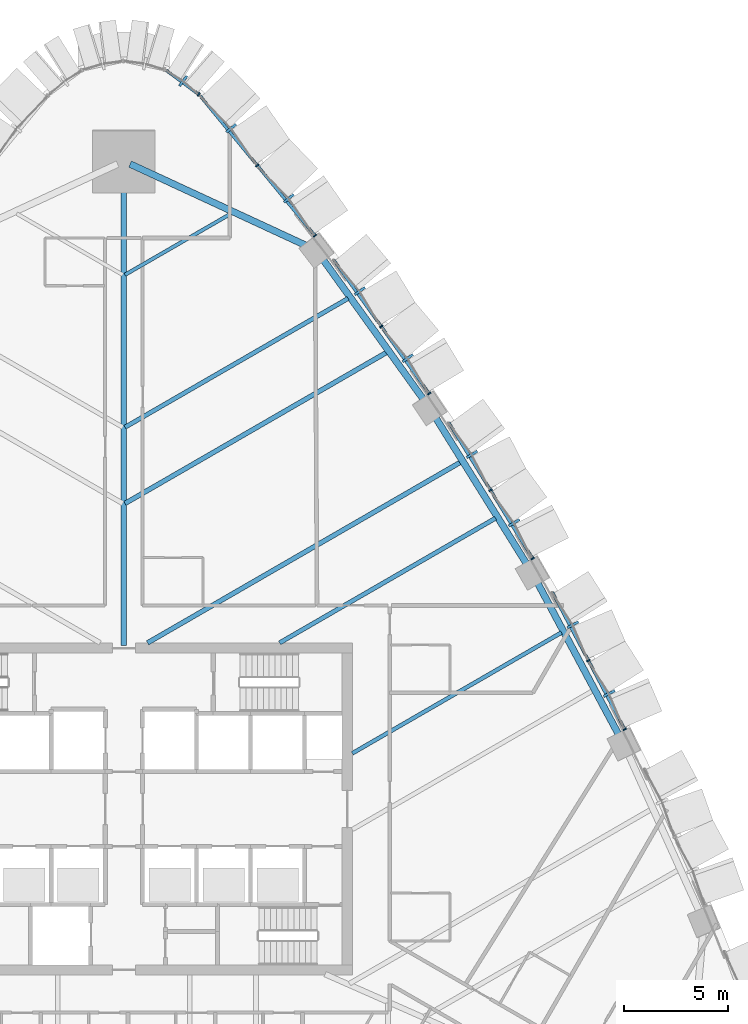
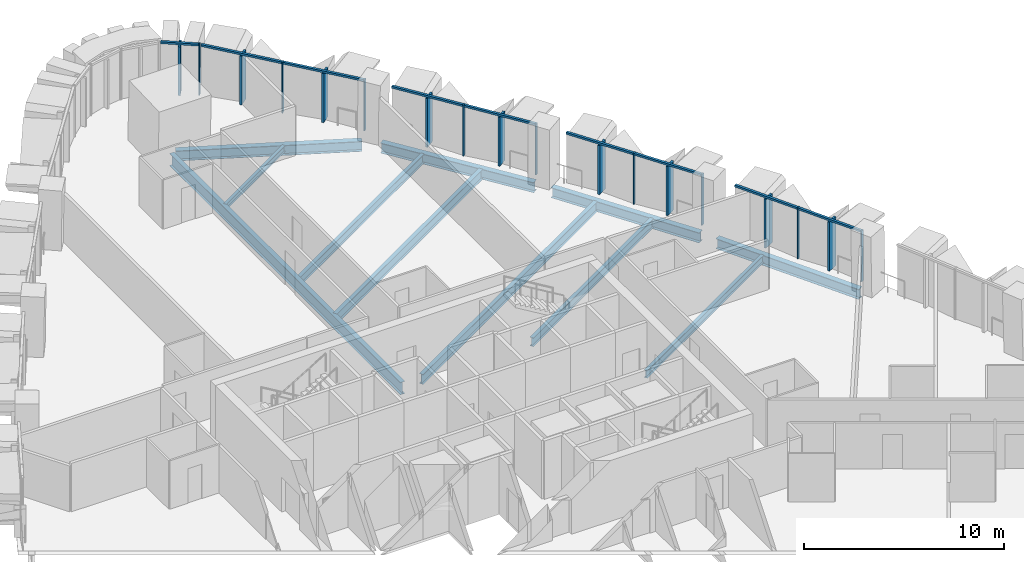
# One storey, part 7 of 24: 27 members, 11 beams, 5 elements without a shape of their own.
"""IFC4 building model written with IfcOpenShell, lengths in metres."""

from ifc_helpers import new_model, si_unit, direction, frame, origin, origin_2d, place, context, subcontext, project, spatial, rectangle, i_section, extrude, material, layer, layer_set, material_profile, profile_set, type_object, element, aggregate, save


model = new_model("IFC4")

# Units and contexts
model_context = context("Model", 3, precision=1e-05, world=origin(), true_north=direction((0.0, 1.0)))
body_context = subcontext(model_context, "Body", "Model", "MODEL_VIEW")
ifc_project = project(units=[si_unit("LENGTHUNIT", "METRE"), si_unit("AREAUNIT", "SQUARE_METRE"), si_unit("VOLUMEUNIT", "CUBIC_METRE"), si_unit("PLANEANGLEUNIT", "RADIAN"), si_unit("MASSUNIT", "GRAM", prefix="KILO")], contexts=[model_context])

# Site, building, storey
site_placement = place(None, origin())
site = spatial("IfcSite", under=ifc_project, at=site_placement, CompositionType="ELEMENT")
building_placement = place(site_placement, origin())
building = spatial("IfcBuilding", under=site, at=building_placement, Name="Sierra Prisma Convention Tower", CompositionType="ELEMENT")
storey_placement = place(building_placement, frame((0.0, 0.0, 55.39990234375)))
storey = spatial("IfcBuildingStorey", under=building, at=storey_placement, Name="L09", CompositionType="ELEMENT", Elevation=55.39990234375)

# Curtain wall, members
ifc_material_1 = material(Name="Aluminium and glass curtain wall", Category="aluminium")
ifc_layer = layer(ifc_material_1, 0.179931640625)
ifc_layer_set = layer_set([ifc_layer], Name="CW-2 Faceted crystal curtain wall")
curtain_wall_type = type_object("IfcCurtainWallType", Name="CW-2 Faceted crystal curtain wall", PredefinedType="NOTDEFINED", material=ifc_layer_set)
curtain_wall_1_placement = place(storey_placement, origin())
curtain_wall_1 = element("IfcCurtainWall", 1, at=curtain_wall_1_placement, inside=storey, type_object=curtain_wall_type, Name="CW-2 NE3 L09", PredefinedType="NOTDEFINED")
ifc_material_2 = material(Name="Aluminium 6063-T6 bronze anodised", Category="aluminium")
ifc_material_profile_1 = material_profile(ifc_material_2, rectangle(XDim=0.1201171875, YDim=0.60009765625, at=origin_2d()), Name="ALU RIDGE BLADE 120x600")
ifc_profile_set_1 = profile_set([ifc_material_profile_1], Name="Aluminium 6063-T6 bronze anodised")
member_type_1 = type_object("IfcMemberType", Name="CW hip bronze", PredefinedType="MULLION", material=ifc_profile_set_1)
member_1_placement = place(storey_placement, frame((23.36962890625, 5.5595703125, 0.0), z_axis=(0.0, 0.0, 1.0), x_axis=(-0.46672356921, 0.884403250754, 0.0)))
member_1 = element("IfcMember", 2, at=member_1_placement, type_object=member_type_1, Name="CW-2 ridge NE3.1", PredefinedType="MULLION", context=body_context, shape_type="SweptSolid", body=[
    extrude(rectangle(XDim=0.1201171875, YDim=0.60009765625, at=origin_2d()), origin(), (0.0, 0.0, 1.0), 2.97998046875),
])
member_2_placement = place(storey_placement, frame((21.621826171875, 8.871337890625, 0.0), z_axis=(0.0, 0.0, 1.0), x_axis=(-0.46672356921, 0.884403250754, 0.0)))
member_2 = element("IfcMember", 3, at=member_2_placement, type_object=member_type_1, Name="CW-2 ridge NE3.2", PredefinedType="MULLION", context=body_context, shape_type="SweptSolid", body=[
    extrude(rectangle(XDim=0.1201171875, YDim=0.60009765625, at=origin_2d()), origin(), (0.0, 0.0, 1.0), 2.97998046875),
])

curtain_wall_2_placement = place(storey_placement, origin())
curtain_wall_2 = element("IfcCurtainWall", 4, at=curtain_wall_2_placement, inside=storey, type_object=curtain_wall_type, Name="CW-2 NE4 L09", PredefinedType="NOTDEFINED")
member_3_placement = place(storey_placement, frame((18.794921875, 13.782958984375, 0.0), z_axis=(0.0, 0.0, 1.0), x_axis=(-0.525194494517, 0.850982222452, 0.0)))
member_3 = element("IfcMember", 5, at=member_3_placement, type_object=member_type_1, Name="CW-2 ridge NE4.1", PredefinedType="MULLION", context=body_context, shape_type="SweptSolid", body=[
    extrude(rectangle(XDim=0.1201171875, YDim=0.60009765625, at=origin_2d()), origin(), (0.0, 0.0, 1.0), 2.97998046875),
])
member_4_placement = place(storey_placement, frame((16.7646484375, 17.072509765625, 0.0), z_axis=(0.0, 0.0, 1.0), x_axis=(-0.525194494517, 0.850982222452, 0.0)))
member_4 = element("IfcMember", 6, at=member_4_placement, type_object=member_type_1, Name="CW-2 ridge NE4.2", PredefinedType="MULLION", context=body_context, shape_type="SweptSolid", body=[
    extrude(rectangle(XDim=0.1201171875, YDim=0.60009765625, at=origin_2d()), origin(), (0.0, 0.0, 1.0), 2.97998046875),
])

curtain_wall_3_placement = place(storey_placement, origin())
curtain_wall_3 = element("IfcCurtainWall", 7, at=curtain_wall_3_placement, inside=storey, type_object=curtain_wall_type, Name="CW-2 NE5 L09", PredefinedType="NOTDEFINED")
member_5_placement = place(storey_placement, frame((13.671630859375, 21.70703125, 0.0), z_axis=(0.0, 0.0, 1.0), x_axis=(-0.581283235158, 0.813701296868, 0.0)))
member_5 = element("IfcMember", 8, at=member_5_placement, type_object=member_type_1, Name="CW-2 ridge NE5.1", PredefinedType="MULLION", context=body_context, shape_type="SweptSolid", body=[
    extrude(rectangle(XDim=0.1201171875, YDim=0.60009765625, at=origin_2d()), origin(), (0.0, 0.0, 1.0), 2.97998046875),
])
member_6_placement = place(storey_placement, frame((11.364013671875, 24.9375, 0.0), z_axis=(0.0, 0.0, 1.0), x_axis=(-0.581283235158, 0.813701296868, 0.0)))
member_6 = element("IfcMember", 9, at=member_6_placement, type_object=member_type_1, Name="CW-2 ridge NE5.2", PredefinedType="MULLION", context=body_context, shape_type="SweptSolid", body=[
    extrude(rectangle(XDim=0.1201171875, YDim=0.60009765625, at=origin_2d()), origin(), (0.0, 0.0, 1.0), 2.97998046875),
])

curtain_wall_4_placement = place(storey_placement, origin())
curtain_wall_4 = element("IfcCurtainWall", 10, at=curtain_wall_4_placement, inside=storey, type_object=curtain_wall_type, Name="CW-2 NE6 L09", PredefinedType="NOTDEFINED")
member_7_placement = place(storey_placement, frame((7.9462890625, 29.401611328125, 0.0), z_axis=(0.0, 0.0, 1.0), x_axis=(-0.634735383024, 0.772729573355, 0.0)))
member_7 = element("IfcMember", 11, at=member_7_placement, type_object=member_type_1, Name="CW-2 ridge NE6.1", PredefinedType="MULLION", context=body_context, shape_type="SweptSolid", body=[
    extrude(rectangle(XDim=0.1201171875, YDim=0.60009765625, at=origin_2d()), origin(), (0.0, 0.0, 1.0), 2.97998046875),
])
member_8_placement = place(storey_placement, frame((5.171630859375, 32.779541015625, 0.0), z_axis=(0.0, 0.0, 1.0), x_axis=(-0.634735383024, 0.772729573355, 0.0)))
member_8 = element("IfcMember", 12, at=member_8_placement, type_object=member_type_1, Name="CW-2 ridge NE6.2", PredefinedType="MULLION", context=body_context, shape_type="SweptSolid", body=[
    extrude(rectangle(XDim=0.1201171875, YDim=0.60009765625, at=origin_2d()), origin(), (0.0, 0.0, 1.0), 2.97998046875),
])

# Curtain wall, member
curtain_wall_5_placement = place(storey_placement, origin())
curtain_wall_5 = element("IfcCurtainWall", 13, at=curtain_wall_5_placement, inside=storey, type_object=curtain_wall_type, Name="CW-2 N1 L09", PredefinedType="NOTDEFINED")
member_9_placement = place(storey_placement, frame((2.8564453125, 35.054443359375, 0.0), z_axis=(0.0, 0.0, 1.0), x_axis=(-0.803831816779, 0.594856630067, 0.0)))
member_9 = element("IfcMember", 14, at=member_9_placement, type_object=member_type_1, Name="CW-2 ridge N1.1", PredefinedType="MULLION", context=body_context, shape_type="SweptSolid", body=[
    extrude(rectangle(XDim=0.1201171875, YDim=0.60009765625, at=origin_2d()), origin(), (0.0, 0.0, 1.0), 2.97998046875),
])

# Member
ifc_material_3 = material(Name="Aluminium 6063-T6 bronze anodised", Category="aluminium")
ifc_material_profile_2 = material_profile(ifc_material_3, rectangle(XDim=0.179931640625, YDim=0.070068359375, at=origin_2d()), Name="ALU MULLION 70x180")
ifc_profile_set_2 = profile_set([ifc_material_profile_2], Name="Aluminium 6063-T6 bronze anodised")
member_type_2 = type_object("IfcMemberType", Name="CW mullion bronze", PredefinedType="MULLION", material=ifc_profile_set_2)
member_10_placement = place(storey_placement, frame((24.115478515625, 3.836181640625, 0.0), z_axis=(0.0, 0.0, 1.0), x_axis=(-0.884403250754, -0.46672356921, 0.0)))
member_10 = element("IfcMember", 15, at=member_10_placement, type_object=member_type_2, Name="CW-1 mullion NE3.1", PredefinedType="MULLION", context=body_context, shape_type="SweptSolid", body=[
    extrude(rectangle(XDim=0.179931640625, YDim=0.070068359375, at=origin_2d()), origin(), (0.0, 0.0, 1.0), 3.10009765625),
])

member_11_placement = place(storey_placement, frame((22.367919921875, 7.14794921875, 0.0), z_axis=(0.0, 0.0, 1.0), x_axis=(-0.884403250754, -0.46672356921, 0.0)))
member_11 = element("IfcMember", 16, at=member_11_placement, type_object=member_type_2, Name="CW-1 mullion NE3.2", PredefinedType="MULLION", context=body_context, shape_type="SweptSolid", body=[
    extrude(rectangle(XDim=0.179931640625, YDim=0.070068359375, at=origin_2d()), origin(), (0.0, 0.0, 1.0), 3.10009765625),
])

member_12_placement = place(storey_placement, frame((19.682861328125, 12.0595703125, 0.0), z_axis=(0.0, 0.0, 1.0), x_axis=(-0.850982222452, -0.525194494517, 0.0)))
member_12 = element("IfcMember", 17, at=member_12_placement, type_object=member_type_2, Name="CW-1 mullion NE4.1", PredefinedType="MULLION", context=body_context, shape_type="SweptSolid", body=[
    extrude(rectangle(XDim=0.179931640625, YDim=0.070068359375, at=origin_2d()), origin(), (0.0, 0.0, 1.0), 3.10009765625),
])

member_13_placement = place(storey_placement, frame((17.652587890625, 15.349365234375, 0.0), z_axis=(0.0, 0.0, 1.0), x_axis=(-0.850982222452, -0.525194494517, 0.0)))
member_13 = element("IfcMember", 18, at=member_13_placement, type_object=member_type_2, Name="CW-1 mullion NE4.2", PredefinedType="MULLION", context=body_context, shape_type="SweptSolid", body=[
    extrude(rectangle(XDim=0.179931640625, YDim=0.070068359375, at=origin_2d()), origin(), (0.0, 0.0, 1.0), 3.10009765625),
])

member_14_placement = place(storey_placement, frame((14.70068359375, 20.002685546875, 0.0), z_axis=(0.0, 0.0, 1.0), x_axis=(-0.813701296868, -0.581283235158, 0.0)))
member_14 = element("IfcMember", 19, at=member_14_placement, type_object=member_type_2, Name="CW-1 mullion NE5.1", PredefinedType="MULLION", context=body_context, shape_type="SweptSolid", body=[
    extrude(rectangle(XDim=0.179931640625, YDim=0.070068359375, at=origin_2d()), origin(), (0.0, 0.0, 1.0), 3.10009765625),
])

member_15_placement = place(storey_placement, frame((12.39306640625, 23.233154296875, 0.0), z_axis=(0.0, 0.0, 1.0), x_axis=(-0.813701296868, -0.581283235158, 0.0)))
member_15 = element("IfcMember", 20, at=member_15_placement, type_object=member_type_2, Name="CW-1 mullion NE5.2", PredefinedType="MULLION", context=body_context, shape_type="SweptSolid", body=[
    extrude(rectangle(XDim=0.179931640625, YDim=0.070068359375, at=origin_2d()), origin(), (0.0, 0.0, 1.0), 3.10009765625),
])

member_16_placement = place(storey_placement, frame((9.202880859375, 27.605224609375, 0.0), z_axis=(0.0, 0.0, 1.0), x_axis=(-0.772729573355, -0.634735383024, 0.0)))
member_16 = element("IfcMember", 21, at=member_16_placement, type_object=member_type_2, Name="CW-1 mullion NE6.1", PredefinedType="MULLION", context=body_context, shape_type="SweptSolid", body=[
    extrude(rectangle(XDim=0.179931640625, YDim=0.070068359375, at=origin_2d()), origin(), (0.0, 0.0, 1.0), 3.10009765625),
])

member_17_placement = place(storey_placement, frame((6.42822265625, 30.983154296875, 0.0), z_axis=(0.0, 0.0, 1.0), x_axis=(-0.772729573355, -0.634735383024, 0.0)))
member_17 = element("IfcMember", 22, at=member_17_placement, type_object=member_type_2, Name="CW-1 mullion NE6.2", PredefinedType="MULLION", context=body_context, shape_type="SweptSolid", body=[
    extrude(rectangle(XDim=0.179931640625, YDim=0.070068359375, at=origin_2d()), origin(), (0.0, 0.0, 1.0), 3.10009765625),
])

member_18_placement = place(storey_placement, frame((3.60302734375, 34.408935546875, 0.0), z_axis=(0.0, 0.0, 1.0), x_axis=(-0.594856630067, -0.803831816779, 0.0)))
member_18 = element("IfcMember", 23, at=member_18_placement, type_object=member_type_2, Name="CW-1 mullion N1.1", PredefinedType="MULLION", context=body_context, shape_type="SweptSolid", body=[
    extrude(rectangle(XDim=0.179931640625, YDim=0.070068359375, at=origin_2d()), origin(), (0.0, 0.0, 1.0), 3.10009765625),
])

ifc_material_4 = material(Name="Aluminium 6063-T6 bronze anodised", Category="aluminium")
ifc_material_profile_3 = material_profile(ifc_material_4, rectangle(XDim=0.139892578125, YDim=0.1201171875, at=origin_2d()), Name="ALU TRANSOM 120x140")
ifc_profile_set_3 = profile_set([ifc_material_profile_3], Name="Aluminium 6063-T6 bronze anodised")
member_type_3 = type_object("IfcMemberType", Name="CW transom bronze", PredefinedType="USERDEFINED", material=ifc_profile_set_3)
member_19_placement = place(storey_placement, frame((24.09912109375, 3.8671875, 3.0400390625), z_axis=(-0.466745628093, 0.884391609331, 0.0), x_axis=(-0.884391609331, -0.466745628093, 0.0)))
member_19 = element("IfcMember", 24, at=member_19_placement, type_object=member_type_3, Name="CW-1 transom NE3.1", ObjectType="TRANSOM", PredefinedType="USERDEFINED", context=body_context, shape_type="SweptSolid", body=[
    extrude(rectangle(XDim=0.139892578125, YDim=0.1201171875, at=origin_2d()), origin(), (0.0, 0.0, 1.0), 3.674560546875),
])

member_20_placement = place(storey_placement, frame((22.3515625, 7.178955078125, 3.0400390625), z_axis=(-0.466745628093, 0.884391609331, 0.0), x_axis=(-0.884391609331, -0.466745628093, 0.0)))
member_20 = element("IfcMember", 25, at=member_20_placement, type_object=member_type_3, Name="CW-1 transom NE3.2", ObjectType="TRANSOM", PredefinedType="USERDEFINED", context=body_context, shape_type="SweptSolid", body=[
    extrude(rectangle(XDim=0.139892578125, YDim=0.1201171875, at=origin_2d()), origin(), (0.0, 0.0, 1.0), 3.674560546875),
])

aggregate(curtain_wall_1, [member_10, member_11, member_19, member_1, member_20, member_2])

member_21_placement = place(storey_placement, frame((19.66455078125, 12.08935546875, 3.0400390625), z_axis=(-0.52520940743, 0.850973018578, 0.0), x_axis=(-0.850973018578, -0.52520940743, 0.0)))
member_21 = element("IfcMember", 26, at=member_21_placement, type_object=member_type_3, Name="CW-1 transom NE4.1", ObjectType="TRANSOM", PredefinedType="USERDEFINED", context=body_context, shape_type="SweptSolid", body=[
    extrude(rectangle(XDim=0.139892578125, YDim=0.1201171875, at=origin_2d()), origin(), (0.0, 0.0, 1.0), 3.7958984375),
])

member_22_placement = place(storey_placement, frame((17.63427734375, 15.379150390625, 3.0400390625), z_axis=(-0.525238154306, 0.850955275712, 0.0), x_axis=(-0.850955275712, -0.525238154306, 0.0)))
member_22 = element("IfcMember", 27, at=member_22_placement, type_object=member_type_3, Name="CW-1 transom NE4.2", ObjectType="TRANSOM", PredefinedType="USERDEFINED", context=body_context, shape_type="SweptSolid", body=[
    extrude(rectangle(XDim=0.139892578125, YDim=0.1201171875, at=origin_2d()), origin(), (0.0, 0.0, 1.0), 3.795654296875),
])

aggregate(curtain_wall_2, [member_12, member_13, member_21, member_3, member_22, member_4])

member_23_placement = place(storey_placement, frame((14.680419921875, 20.03125, 3.0400390625), z_axis=(-0.581309251653, 0.813682710854, 0.0), x_axis=(-0.813682710854, -0.581309251653, 0.0)))
member_23 = element("IfcMember", 28, at=member_23_placement, type_object=member_type_3, Name="CW-1 transom NE5.1", ObjectType="TRANSOM", PredefinedType="USERDEFINED", context=body_context, shape_type="SweptSolid", body=[
    extrude(rectangle(XDim=0.139892578125, YDim=0.1201171875, at=origin_2d()), origin(), (0.0, 0.0, 1.0), 3.89990234375),
])

member_24_placement = place(storey_placement, frame((12.372802734375, 23.261474609375, 3.0400390625), z_axis=(-0.581279642608, 0.813703863263, 0.0), x_axis=(-0.813703863263, -0.581279642608, 0.0)))
member_24 = element("IfcMember", 29, at=member_24_placement, type_object=member_type_3, Name="CW-1 transom NE5.2", ObjectType="TRANSOM", PredefinedType="USERDEFINED", context=body_context, shape_type="SweptSolid", body=[
    extrude(rectangle(XDim=0.139892578125, YDim=0.1201171875, at=origin_2d()), origin(), (0.0, 0.0, 1.0), 3.900146484375),
])

aggregate(curtain_wall_3, [member_14, member_15, member_23, member_5, member_24, member_6])

member_25_placement = place(storey_placement, frame((9.1806640625, 27.63232421875, 3.0400390625), z_axis=(-0.634741844175, 0.772724265993, 0.0), x_axis=(-0.772724265993, -0.634741844175, 0.0)))
member_25 = element("IfcMember", 30, at=member_25_placement, type_object=member_type_3, Name="CW-1 transom NE6.1", ObjectType="TRANSOM", PredefinedType="USERDEFINED", context=body_context, shape_type="SweptSolid", body=[
    extrude(rectangle(XDim=0.139892578125, YDim=0.1201171875, at=origin_2d()), origin(), (0.0, 0.0, 1.0), 4.30126953125),
])

member_26_placement = place(storey_placement, frame((6.406005859375, 31.01025390625, 3.0400390625), z_axis=(-0.634775733618, 0.772696426813, 0.0), x_axis=(-0.772696426813, -0.634775733618, 0.0)))
member_26 = element("IfcMember", 31, at=member_26_placement, type_object=member_type_3, Name="CW-1 transom NE6.2", ObjectType="TRANSOM", PredefinedType="USERDEFINED", context=body_context, shape_type="SweptSolid", body=[
    extrude(rectangle(XDim=0.139892578125, YDim=0.1201171875, at=origin_2d()), origin(), (0.0, 0.0, 1.0), 4.301513671875),
])

aggregate(curtain_wall_4, [member_16, member_17, member_25, member_7, member_26, member_8])

member_27_placement = place(storey_placement, frame((3.574951171875, 34.4296875, 3.0400390625), z_axis=(-0.803825912212, 0.594864608845, 0.0), x_axis=(-0.594864608845, -0.803825912212, 0.0)))
member_27 = element("IfcMember", 32, at=member_27_placement, type_object=member_type_3, Name="CW-1 transom N1.1", ObjectType="TRANSOM", PredefinedType="USERDEFINED", context=body_context, shape_type="SweptSolid", body=[
    extrude(rectangle(XDim=0.139892578125, YDim=0.1201171875, at=origin_2d()), origin(), (0.0, 0.0, 1.0), 1.898681640625),
])

aggregate(curtain_wall_5, [member_18, member_27, member_9])

# Beams
ifc_material_5 = material(Name="Steel ASTM A992 Gr 50", Category="steel")
ifc_material_profile_4 = material_profile(ifc_material_5, i_section(OverallWidth=0.172119140625, OverallDepth=0.35791015625, WebThickness=0.0078125, FlangeThickness=0.01318359375, at=origin_2d()), Name="W360x57")
ifc_profile_set_4 = profile_set([ifc_material_profile_4], Name="Steel ASTM A992 Gr 50")
beam_type_1 = type_object("IfcBeamType", Name="Floor joist W360x57", PredefinedType="JOIST", material=ifc_profile_set_4)
beam_1_placement = place(storey_placement, frame((5.161865234375, 28.669921875, -0.328857421875), z_axis=(-0.866018804309, -0.500011430453, 0.0), x_axis=(0.500011430453, -0.866018804309, 0.0)))
element("IfcBeam", 33, at=beam_1_placement, inside=storey, type_object=beam_type_1, Name="Floor joist L09 NE16", PredefinedType="JOIST", context=body_context, shape_type="SweptSolid", body=[
    extrude(i_section(OverallWidth=0.172119140625, OverallDepth=0.35791015625, WebThickness=0.0078125, FlangeThickness=0.01318359375, at=origin_2d()), origin(), (0.0, 0.0, 1.0), 5.899169921875),
])
ifc_material_6 = material(Name="Steel ASTM A992 Gr 50", Category="steel")
ifc_material_profile_5 = material_profile(ifc_material_6, i_section(OverallWidth=0.18994140625, OverallDepth=0.45703125, WebThickness=0.009033203125, FlangeThickness=0.014404296875, at=origin_2d()), Name="W460x74")
ifc_profile_set_5 = profile_set([ifc_material_profile_5], Name="Steel ASTM A992 Gr 50")
beam_type_2 = type_object("IfcBeamType", Name="Floor joist W460x74", PredefinedType="JOIST", material=ifc_profile_set_5)
beam_2_placement = place(storey_placement, frame((21.07080078125, 8.495361328125, -0.37841796875), z_axis=(-0.866022663817, -0.500004745733, 0.0), x_axis=(0.500004745733, -0.866022663817, 0.0)))
element("IfcBeam", 34, at=beam_2_placement, inside=storey, type_object=beam_type_2, Name="Floor joist L09 NE08", PredefinedType="JOIST", context=body_context, shape_type="SweptSolid", body=[
    extrude(i_section(OverallWidth=0.18994140625, OverallDepth=0.45703125, WebThickness=0.009033203125, FlangeThickness=0.014404296875, at=origin_2d()), origin(), (0.0, 0.0, 1.0), 11.62890625),
])
ifc_material_7 = material(Name="Steel ASTM A992 Gr 50", Category="steel")
ifc_material_profile_6 = material_profile(ifc_material_7, i_section(OverallWidth=0.208984375, OverallDepth=0.532958984375, WebThickness=0.01025390625, FlangeThickness=0.015625, at=origin_2d()), Name="W530x92")
ifc_profile_set_6 = profile_set([ifc_material_profile_6], Name="Steel ASTM A992 Gr 50")
beam_type_3 = type_object("IfcBeamType", Name="Floor joist W530x92", PredefinedType="JOIST", material=ifc_profile_set_6)
beam_3_placement = place(storey_placement, frame((17.892578125, 14.000244140625, -0.41650390625), z_axis=(-0.866027373606, -0.499996588154, 0.0), x_axis=(0.499996588154, -0.866027373606, 0.0)))
element("IfcBeam", 35, at=beam_3_placement, inside=storey, type_object=beam_type_3, Name="Floor joist L09 NE10", PredefinedType="JOIST", context=body_context, shape_type="SweptSolid", body=[
    extrude(i_section(OverallWidth=0.208984375, OverallDepth=0.532958984375, WebThickness=0.01025390625, FlangeThickness=0.015625, at=origin_2d()), origin(), (0.0, 0.0, 1.0), 12.00048828125),
])
beam_4_placement = place(storey_placement, frame((10.797119140625, 24.58349609375, -0.41650390625), z_axis=(-0.866025664929, -0.499999547685, 0.0), x_axis=(0.499999547685, -0.866025664929, 0.0)))
element("IfcBeam", 36, at=beam_4_placement, inside=storey, type_object=beam_type_3, Name="Floor joist L09 NE14", PredefinedType="JOIST", context=body_context, shape_type="SweptSolid", body=[
    extrude(i_section(OverallWidth=0.208984375, OverallDepth=0.532958984375, WebThickness=0.01025390625, FlangeThickness=0.015625, at=origin_2d()), origin(), (0.0, 0.0, 1.0), 12.40625),
])
ifc_material_8 = material(Name="Steel ASTM A992 Gr 50", Category="steel")
ifc_material_profile_7 = material_profile(ifc_material_8, i_section(OverallWidth=0.22802734375, OverallDepth=0.60302734375, WebThickness=0.010498046875, FlangeThickness=0.014892578125, at=origin_2d()), Name="W610x101")
ifc_profile_set_7 = profile_set([ifc_material_profile_7], Name="Steel ASTM A992 Gr 50")
beam_type_4 = type_object("IfcBeamType", Name="Floor joist W610x101", PredefinedType="JOIST", material=ifc_profile_set_7)
beam_5_placement = place(storey_placement, frame((16.212646484375, 16.7001953125, -0.451416015625), z_axis=(-0.866027639635, -0.499996127374, 0.0), x_axis=(0.499996127374, -0.866027639635, 0.0)))
element("IfcBeam", 37, at=beam_5_placement, inside=storey, type_object=beam_type_4, Name="Floor joist L09 NE11", PredefinedType="JOIST", context=body_context, shape_type="SweptSolid", body=[
    extrude(i_section(OverallWidth=0.22802734375, OverallDepth=0.60302734375, WebThickness=0.010498046875, FlangeThickness=0.014892578125, at=origin_2d()), origin(), (0.0, 0.0, 1.0), 17.400634765625),
])
beam_6_placement = place(storey_placement, frame((12.659423828125, 21.98876953125, -0.451416015625), z_axis=(-0.866025828632, -0.499999264141, 0.0), x_axis=(0.499999264141, -0.866025828632, 0.0)))
element("IfcBeam", 38, at=beam_6_placement, inside=storey, type_object=beam_type_4, Name="Floor joist L09 NE13", PredefinedType="JOIST", context=body_context, shape_type="SweptSolid", body=[
    extrude(i_section(OverallWidth=0.22802734375, OverallDepth=0.60302734375, WebThickness=0.010498046875, FlangeThickness=0.014892578125, at=origin_2d()), origin(), (0.0, 0.0, 1.0), 14.556640625),
])
ifc_material_9 = material(Name="Steel ASTM A992 Gr 50", Category="steel")
ifc_material_profile_8 = material_profile(ifc_material_9, i_section(OverallWidth=0.264892578125, OverallDepth=0.7529296875, WebThickness=0.01318359375, FlangeThickness=0.01708984375, at=origin_2d()), Name="W760x147")
ifc_profile_set_8 = profile_set([ifc_material_profile_8], Name="Steel ASTM A992 Gr 50")
beam_type_5 = type_object("IfcBeamType", Name="Radial girder W760x147", PredefinedType="BEAM", material=ifc_profile_set_8)
beam_7_placement = place(storey_placement, frame((0.0, 30.89453125, -0.5263671875), z_axis=(0.0, -1.0, 0.0), x_axis=(1.0, 0.0, 0.0)))
element("IfcBeam", 39, at=beam_7_placement, inside=storey, type_object=beam_type_5, Name="Radial girder L09 N", PredefinedType="BEAM", context=body_context, shape_type="SweptSolid", body=[
    extrude(i_section(OverallWidth=0.264892578125, OverallDepth=0.7529296875, WebThickness=0.01318359375, FlangeThickness=0.01708984375, at=origin_2d()), origin(), (0.0, 0.0, 1.0), 23.0146484375),
])
ifc_material_10 = material(Name="Steel ASTM A992 Gr 50", Category="steel")
ifc_material_profile_9 = material_profile(ifc_material_10, i_section(OverallWidth=0.324951171875, OverallDepth=0.615966796875, WebThickness=0.013916015625, FlangeThickness=0.021484375, at=origin_2d()), Name="W610x174")
ifc_profile_set_9 = profile_set([ifc_material_profile_9], Name="Steel ASTM A992 Gr 50")
beam_type_6 = type_object("IfcBeamType", Name="Spandrel beam W610x174", PredefinedType="BEAM", material=ifc_profile_set_9)
beam_8_placement = place(storey_placement, frame((23.8515625, 3.52880859375, -0.4580078125), z_axis=(-0.47120252461, 0.88202504545, 0.0), x_axis=(-0.88202504545, -0.47120252461, 0.0)))
element("IfcBeam", 40, at=beam_8_placement, inside=storey, type_object=beam_type_6, Name="Spandrel L09-09", PredefinedType="BEAM", context=body_context, shape_type="SweptSolid", body=[
    extrude(i_section(OverallWidth=0.324951171875, OverallDepth=0.615966796875, WebThickness=0.013916015625, FlangeThickness=0.021484375, at=origin_2d()), origin(), (0.0, 0.0, 1.0), 8.39404296875),
])
beam_9_placement = place(storey_placement, frame((19.416259765625, 11.76416015625, -0.4580078125), z_axis=(-0.528256691092, 0.849084723874, 0.0), x_axis=(-0.849084723874, -0.528256691092, 0.0)))
element("IfcBeam", 41, at=beam_9_placement, inside=storey, type_object=beam_type_6, Name="Spandrel L09-10", PredefinedType="BEAM", context=body_context, shape_type="SweptSolid", body=[
    extrude(i_section(OverallWidth=0.324951171875, OverallDepth=0.615966796875, WebThickness=0.013916015625, FlangeThickness=0.021484375, at=origin_2d()), origin(), (0.0, 0.0, 1.0), 8.394287109375),
])
beam_10_placement = place(storey_placement, frame((14.447998046875, 19.689697265625, -0.4580078125), z_axis=(-0.583044373129, 0.812440311015, 0.0), x_axis=(-0.812440311015, -0.583044373129, 0.0)))
element("IfcBeam", 42, at=beam_10_placement, inside=storey, type_object=beam_type_6, Name="Spandrel L09-11", PredefinedType="BEAM", context=body_context, shape_type="SweptSolid", body=[
    extrude(i_section(OverallWidth=0.324951171875, OverallDepth=0.615966796875, WebThickness=0.013916015625, FlangeThickness=0.021484375, at=origin_2d()), origin(), (0.0, 0.0, 1.0), 8.39404296875),
])
beam_11_placement = place(storey_placement, frame((8.7685546875, 27.133544921875, -0.4580078125), z_axis=(-0.907405025397, 0.420257206821, 0.0), x_axis=(-0.420257206821, -0.907405025397, 0.0)))
element("IfcBeam", 43, at=beam_11_placement, inside=storey, type_object=beam_type_6, Name="Spandrel L09-12", PredefinedType="BEAM", context=body_context, shape_type="SweptSolid", body=[
    extrude(i_section(OverallWidth=0.324951171875, OverallDepth=0.615966796875, WebThickness=0.013916015625, FlangeThickness=0.021484375, at=origin_2d()), origin(), (0.0, 0.0, 1.0), 9.332763671875),
])

save(model, "model.ifc")
